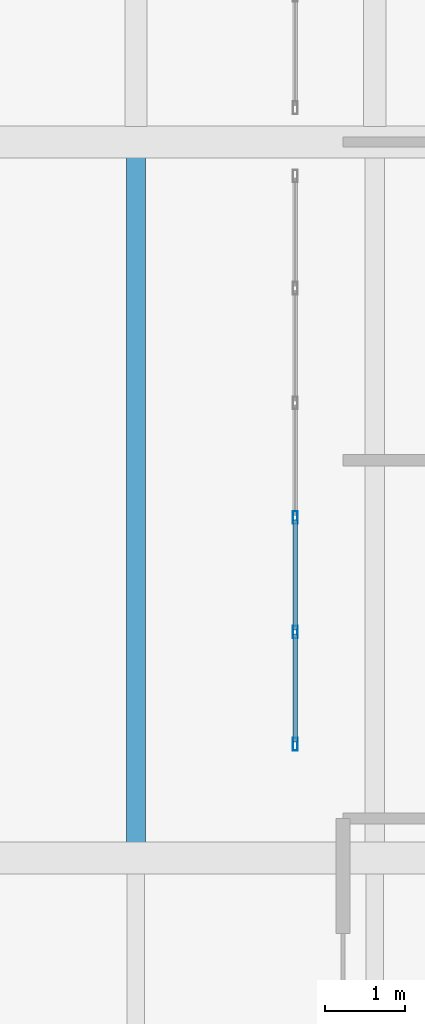
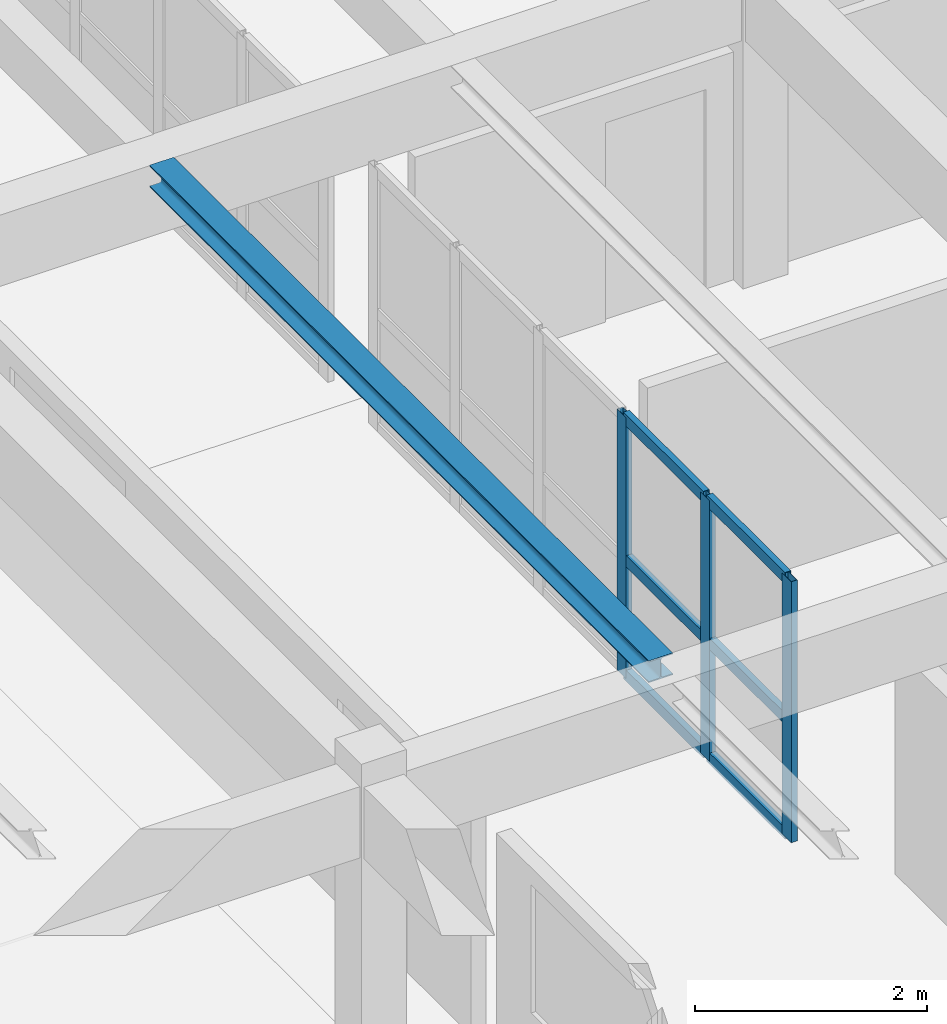
# One storey, part 35 of 80: 9 members, 1 beam, 1 element without a shape of its own.
"""IFC4 building model written with IfcOpenShell, lengths in metres."""

from ifc_helpers import new_model, si_unit, direction, frame, origin, origin_2d, place, context, subcontext, project, spatial, hollow_rectangle, i_section, extrude, material, layer, layer_set, material_profile, profile_set, type_object, element, aggregate, save


model = new_model("IFC4")

# Units and contexts
model_context = context("Model", 3, precision=1e-05, world=origin(), true_north=direction((0.0, 1.0)))
body_context = subcontext(model_context, "Body", "Model", "MODEL_VIEW")
ifc_project = project(units=[si_unit("LENGTHUNIT", "METRE"), si_unit("AREAUNIT", "SQUARE_METRE"), si_unit("VOLUMEUNIT", "CUBIC_METRE"), si_unit("PLANEANGLEUNIT", "RADIAN"), si_unit("MASSUNIT", "GRAM", prefix="KILO")], contexts=[model_context])

# Site, building, storey
site_placement = place(None, origin())
site = spatial("IfcSite", under=ifc_project, at=site_placement, CompositionType="ELEMENT")
building_placement = place(site_placement, origin())
building = spatial("IfcBuilding", under=site, at=building_placement, Name="Ornek Quay Market", CompositionType="ELEMENT")
storey_placement = place(building_placement, frame((0.0, 0.0, 8.39990234375)))
storey = spatial("IfcBuildingStorey", under=building, at=storey_placement, Name="L02", CompositionType="ELEMENT", Elevation=8.39990234375)

# Beam
ifc_material_1 = material(Name="Steel S355", Category="steel")
ifc_material_profile_1 = material_profile(ifc_material_1, i_section(OverallWidth=0.239990234375, OverallDepth=0.22998046875, WebThickness=0.007568359375, FlangeThickness=0.011962890625, FilletRadius=0.02099609375, at=origin_2d()), Name="HEA 240", Category="steel")
ifc_profile_set_1 = profile_set([ifc_material_profile_1], Name="Steel S355")
beam_type = type_object("IfcBeamType", Name="BM-STL-HEA240", PredefinedType="BEAM", material=ifc_profile_set_1)
beam_placement = place(storey_placement, frame((165.0, 29.19189453125, 3.235107421875), z_axis=(0.0, 1.0, 0.0), x_axis=(-1.0, 0.0, 0.0)))
element("IfcBeam", 1, at=beam_placement, inside=storey, type_object=beam_type, Name="Secondary joist SB-14-033", PredefinedType="BEAM", context=body_context, shape_type="SweptSolid", body=[
    extrude(i_section(OverallWidth=0.239990234375, OverallDepth=0.22998046875, WebThickness=0.007568359375, FlangeThickness=0.011962890625, FilletRadius=0.02099609375, at=origin_2d()), origin(), (0.0, 0.0, 1.0), 8.6162109375),
])

# Curtain wall, members
ifc_material_2 = material(Name="Anodised bronze aluminium and triple low-e glass", Category="aluminium")
ifc_layer = layer(ifc_material_2, 0.139892578125, Name="Anodised bronze aluminium and triple low-e glass", Category="aluminium")
ifc_layer_set = layer_set([ifc_layer], Name="Anodised bronze aluminium and triple low-e glass")
curtain_wall_type = type_object("IfcCurtainWallType", Name="CW-GALLERY-INT", PredefinedType="USERDEFINED", material=ifc_layer_set)
curtain_wall_placement = place(storey_placement, origin())
curtain_wall = element("IfcCurtainWall", 2, at=curtain_wall_placement, inside=storey, type_object=curtain_wall_type, Name="Curtain wall CW-167", ObjectType="CURTAIN WALL", PredefinedType="USERDEFINED")
ifc_material_3 = material(Name="Anodised aluminium 6063-T6", Category="aluminium")
ifc_material_profile_2 = material_profile(ifc_material_3, hollow_rectangle(XDim=0.06005859375, YDim=0.159912109375, WallThickness=0.00390625, at=origin_2d()), Name="CW-MUL-60x160", Category="aluminium")
ifc_profile_set_2 = profile_set([ifc_material_profile_2], Name="Anodised aluminium 6063-T6")
member_type_1 = type_object("IfcMemberType", Name="CW-MUL-60x160", PredefinedType="MULLION", material=ifc_profile_set_2)
member_1_placement = place(storey_placement, frame((167.0, 30.429931640625, 0.0), z_axis=(0.0, 0.0, 1.0), x_axis=(-1.0, 0.0, 0.0)))
member_1 = element("IfcMember", 3, at=member_1_placement, type_object=member_type_1, Name="CW-167 mullion 1", PredefinedType="MULLION", context=body_context, shape_type="SweptSolid", body=[
    extrude(hollow_rectangle(XDim=0.06005859375, YDim=0.159912109375, WallThickness=0.00390625, at=origin_2d()), origin(), (0.0, 0.0, 1.0), 2.75),
])
member_2_placement = place(storey_placement, frame((167.0, 31.840087890625, 0.0), z_axis=(0.0, 0.0, 1.0), x_axis=(-1.0, 0.0, 0.0)))
member_2 = element("IfcMember", 4, at=member_2_placement, type_object=member_type_1, Name="CW-167 mullion 2", PredefinedType="MULLION", context=body_context, shape_type="SweptSolid", body=[
    extrude(hollow_rectangle(XDim=0.06005859375, YDim=0.159912109375, WallThickness=0.00390625, at=origin_2d()), origin(), (0.0, 0.0, 1.0), 2.75),
])
member_3_placement = place(storey_placement, frame((167.0, 33.280029296875, 0.0), z_axis=(0.0, 0.0, 1.0), x_axis=(-1.0, 0.0, 0.0)))
member_3 = element("IfcMember", 5, at=member_3_placement, type_object=member_type_1, Name="CW-167 mullion 3", PredefinedType="MULLION", context=body_context, shape_type="SweptSolid", body=[
    extrude(hollow_rectangle(XDim=0.06005859375, YDim=0.159912109375, WallThickness=0.00390625, at=origin_2d()), origin(), (0.0, 0.0, 1.0), 2.75),
])
ifc_material_profile_3 = material_profile(ifc_material_3, hollow_rectangle(XDim=0.06005859375, YDim=0.1201171875, WallThickness=0.00390625, at=origin_2d()), Name="CW-TRN-60x120", Category="aluminium")
ifc_profile_set_3 = profile_set([ifc_material_profile_3], Name="Anodised aluminium 6063-T6")
member_type_2 = type_object("IfcMemberType", Name="CW-TRN-60x120", PredefinedType="USERDEFINED", material=ifc_profile_set_3)
member_4_placement = place(storey_placement, frame((167.0, 30.4599609375, 0.030029296875), z_axis=(0.0, 1.0, 0.0), x_axis=(-1.0, 0.0, 0.0)))
member_4 = element("IfcMember", 6, at=member_4_placement, type_object=member_type_2, Name="CW-167 transom 1.1", ObjectType="TRANSOM", PredefinedType="USERDEFINED", context=body_context, shape_type="SweptSolid", body=[
    extrude(hollow_rectangle(XDim=0.06005859375, YDim=0.1201171875, WallThickness=0.00390625, at=origin_2d()), origin(), (0.0, 0.0, 1.0), 1.35009765625),
])
member_5_placement = place(storey_placement, frame((167.0, 30.4599609375, 1.237548828125), z_axis=(0.0, 1.0, 0.0), x_axis=(-1.0, 0.0, 0.0)))
member_5 = element("IfcMember", 7, at=member_5_placement, type_object=member_type_2, Name="CW-167 transom 1.2", ObjectType="TRANSOM", PredefinedType="USERDEFINED", context=body_context, shape_type="SweptSolid", body=[
    extrude(hollow_rectangle(XDim=0.06005859375, YDim=0.1201171875, WallThickness=0.00390625, at=origin_2d()), origin(), (0.0, 0.0, 1.0), 1.35009765625),
])
member_6_placement = place(storey_placement, frame((167.0, 30.4599609375, 2.72021484375), z_axis=(0.0, 1.0, 0.0), x_axis=(-1.0, 0.0, 0.0)))
member_6 = element("IfcMember", 8, at=member_6_placement, type_object=member_type_2, Name="CW-167 transom 1.3", ObjectType="TRANSOM", PredefinedType="USERDEFINED", context=body_context, shape_type="SweptSolid", body=[
    extrude(hollow_rectangle(XDim=0.06005859375, YDim=0.1201171875, WallThickness=0.00390625, at=origin_2d()), origin(), (0.0, 0.0, 1.0), 1.35009765625),
])
member_7_placement = place(storey_placement, frame((167.0, 31.8701171875, 0.030029296875), z_axis=(0.0, 1.0, 0.0), x_axis=(-1.0, 0.0, 0.0)))
member_7 = element("IfcMember", 9, at=member_7_placement, type_object=member_type_2, Name="CW-167 transom 2.1", ObjectType="TRANSOM", PredefinedType="USERDEFINED", context=body_context, shape_type="SweptSolid", body=[
    extrude(hollow_rectangle(XDim=0.06005859375, YDim=0.1201171875, WallThickness=0.00390625, at=origin_2d()), origin(), (0.0, 0.0, 1.0), 1.3798828125),
])
member_8_placement = place(storey_placement, frame((167.0, 31.8701171875, 1.237548828125), z_axis=(0.0, 1.0, 0.0), x_axis=(-1.0, 0.0, 0.0)))
member_8 = element("IfcMember", 10, at=member_8_placement, type_object=member_type_2, Name="CW-167 transom 2.2", ObjectType="TRANSOM", PredefinedType="USERDEFINED", context=body_context, shape_type="SweptSolid", body=[
    extrude(hollow_rectangle(XDim=0.06005859375, YDim=0.1201171875, WallThickness=0.00390625, at=origin_2d()), origin(), (0.0, 0.0, 1.0), 1.3798828125),
])
member_9_placement = place(storey_placement, frame((167.0, 31.8701171875, 2.72021484375), z_axis=(0.0, 1.0, 0.0), x_axis=(-1.0, 0.0, 0.0)))
member_9 = element("IfcMember", 11, at=member_9_placement, type_object=member_type_2, Name="CW-167 transom 2.3", ObjectType="TRANSOM", PredefinedType="USERDEFINED", context=body_context, shape_type="SweptSolid", body=[
    extrude(hollow_rectangle(XDim=0.06005859375, YDim=0.1201171875, WallThickness=0.00390625, at=origin_2d()), origin(), (0.0, 0.0, 1.0), 1.3798828125),
])
aggregate(curtain_wall, [member_1, member_2, member_3, member_4, member_5, member_6, member_7, member_8, member_9])

save(model, "model.ifc")
